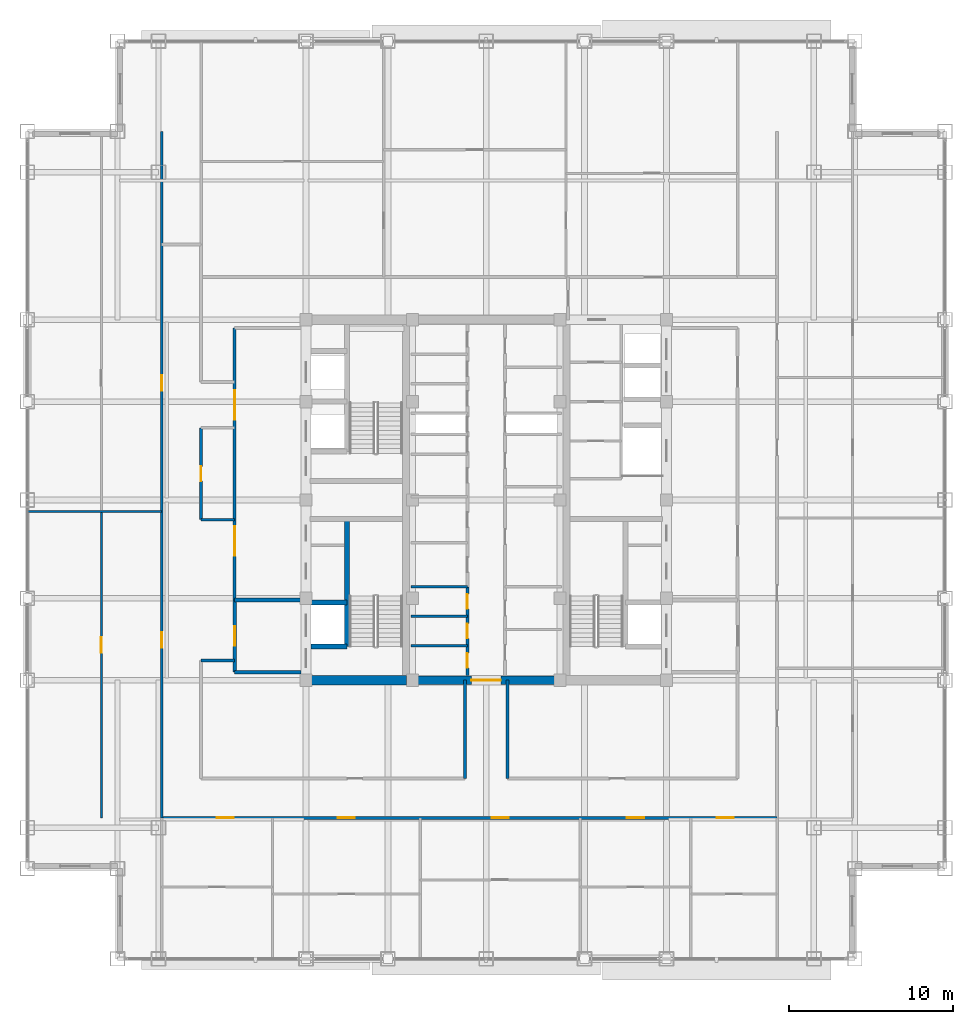
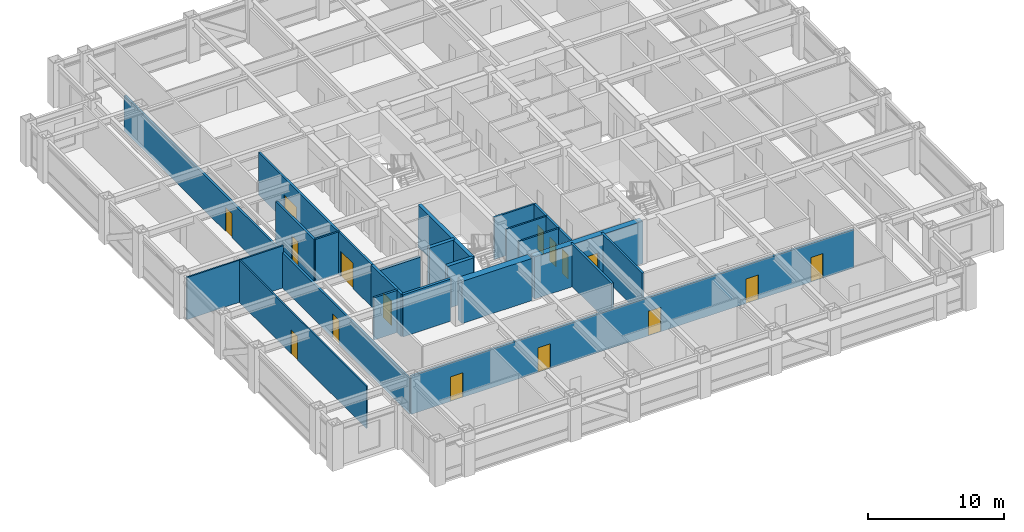
# One storey, part 20 of 29: 22 walls, 16 doors, 16 openings.
"""IFC4 building model written with IfcOpenShell, lengths in metres."""

from ifc_helpers import new_model, si_unit, direction, frame, frame_2d, origin, place, context, subcontext, project, spatial, rectangle, extrude, source, transform, mapped, material, layer, layer_set, type_object, element, fill, save


model = new_model("IFC4")

# Units and contexts
model_context = context("Model", 3, precision=1e-05, world=origin(), true_north=direction((0.0, 1.0)))
body_context = subcontext(model_context, "Body", "Model", "MODEL_VIEW")
ifc_project = project(units=[si_unit("LENGTHUNIT", "METRE"), si_unit("AREAUNIT", "SQUARE_METRE"), si_unit("VOLUMEUNIT", "CUBIC_METRE"), si_unit("PLANEANGLEUNIT", "RADIAN"), si_unit("MASSUNIT", "GRAM", prefix="KILO")], contexts=[model_context])

# Site, building, storey
site_placement = place(None, origin())
site = spatial("IfcSite", under=ifc_project, at=site_placement, CompositionType="ELEMENT")
building_placement = place(site_placement, origin())
building = spatial("IfcBuilding", under=site, at=building_placement, Name="Khorayat Bourse Tower", CompositionType="ELEMENT")
storey_placement = place(building_placement, frame((0.0, 0.0, 277.5)))
storey = spatial("IfcBuildingStorey", under=building, at=storey_placement, Name="L65", CompositionType="ELEMENT", Elevation=277.5)

# Wall
ifc_material_1 = material(Name="Concrete C60/75", Category="concrete")
ifc_layer_1 = layer(ifc_material_1, 0.60009765625)
ifc_layer_set_1 = layer_set([ifc_layer_1], Name="Concrete C60/75")
wall_type_1 = type_object("IfcWallType", Name="WAL-CORE-600", PredefinedType="SHEAR", material=ifc_layer_set_1)
shared_shape_1 = source(origin(), body_context, "Body", "SweptSolid", [
    extrude(rectangle(XDim=5.89990234375, YDim=0.60009765625, at=frame_2d((2.949951171875, 0.0))), origin(), (0.0, 0.0, 1.0), 3.780029296875),
])
wall_1_placement = place(storey_placement, frame((-10.75, -11.0, 0.0), z_axis=(0.0, 0.0, 1.0), x_axis=(1.0, 0.0, 0.0)))
element("IfcWall", 1, at=wall_1_placement, inside=storey, type_object=wall_type_1, Name="L65 Core Shear Wall PIER-WS", PredefinedType="SHEAR", context=body_context, shape_type="MappedRepresentation", body=[
    mapped(shared_shape_1, transform((0.0, 0.0, 0.0), scale=1.0)),
])

# Wall, opening, door
ifc_material_2 = material(Name="Concrete C52/65", Category="concrete")
ifc_layer_2 = layer(ifc_material_2, 0.5)
ifc_layer_set_2 = layer_set([ifc_layer_2], Name="Concrete C52/65")
wall_type_2 = type_object("IfcWallType", Name="WAL-CORE-500", PredefinedType="SHEAR", material=ifc_layer_set_2)
shared_shape_2 = source(origin(), body_context, "Body", "SweptSolid", [
    extrude(rectangle(XDim=9.2001953125, YDim=0.5, at=frame_2d((4.60009765625, 0.0))), origin(), (0.0, 0.0, 1.0), 3.780029296875),
])
wall_2_placement = place(storey_placement, frame((-4.60009765625, -11.0, 0.0), z_axis=(0.0, 0.0, 1.0), x_axis=(1.0, 0.0, 0.0)))
wall_2 = element("IfcWall", 2, at=wall_2_placement, inside=storey, type_object=wall_type_2, Name="L65 Core Shear Wall CORE-S", PredefinedType="SHEAR", context=body_context, shape_type="MappedRepresentation", body=[
    mapped(shared_shape_2, transform((0.0, 0.0, 0.0), scale=1.0)),
])
shared_shape_3 = source(origin(), body_context, "Body", "SweptSolid", [
    extrude(rectangle(XDim=1.800048828125, YDim=2.25, at=frame_2d((0.89990234375, 1.125))), frame((0.0, 0.260009765625, 0.0), z_axis=(0.0, -1.0, 0.0), x_axis=(1.0, 0.0, 0.0)), (0.0, 0.0, 1.0), 0.52001953125),
])
opening_1_placement = place(wall_2_placement, frame((3.699951171875, 0.0, 0.0)))
opening_1 = element("IfcOpeningElement", 3, at=opening_1_placement, cuts=wall_2, Name="Opening DI-03", PredefinedType="OPENING", context=body_context, shape_type="MappedRepresentation", body=[
    mapped(shared_shape_3, transform((0.0, 0.0, 0.0), scale=1.0)),
])
ifc_material_3 = material(Name="Fire-rated hardwood vision-panel double leaf", Category="wood")
door_type_1 = type_object("IfcDoorType", Name="DR-INT-CORR-1800", OperationType="NOTDEFINED", PredefinedType="DOOR", material=ifc_material_3)
shared_shape_4 = source(origin(), body_context, "Body", "SweptSolid", [
    extrude(rectangle(XDim=1.800048828125, YDim=2.25, at=frame_2d((0.89990234375, 1.125))), frame((0.0, 0.02490234375, 0.0), z_axis=(0.0, -1.0, 0.0), x_axis=(1.0, 0.0, 0.0)), (0.0, 0.0, 1.0), 0.050048828125),
])
door_1_placement = place(opening_1_placement, origin())
door_1 = element("IfcDoor", 4, at=door_1_placement, inside=storey, type_object=door_type_1, Name="L65 Central Core South Passage Door", OperationType="SINGLE_SWING_LEFT", OverallHeight=2.25, OverallWidth=1.800048828125, PredefinedType="DOOR", context=body_context, shape_type="MappedRepresentation", body=[
    mapped(shared_shape_4, transform((0.0, 0.0, 0.0), scale=1.0)),
])
fill(opening_1, door_1)

# Walls
ifc_material_4 = material(Name="Aerated concrete blockwork", Category="masonry")
ifc_layer_3 = layer(ifc_material_4, 0.219970703125)
ifc_layer_set_3 = layer_set([ifc_layer_3], Name="Aerated concrete blockwork")
wall_type_3 = type_object("IfcWallType", Name="WAL-PART-FF-220", PredefinedType="PARTITIONING", material=ifc_layer_set_3)
shared_shape_5 = source(origin(), body_context, "Body", "SweptSolid", [
    extrude(rectangle(XDim=4.050048828125, YDim=0.219970703125, at=frame_2d((2.02490234375, 0.0))), origin(), (0.0, 0.0, 1.0), 3.0849609375),
])
wall_3_placement = place(storey_placement, frame((-15.35009765625, -6.10009765625, 0.0), z_axis=(0.0, 0.0, 1.0), x_axis=(1.0, 0.0, 0.0)))
element("IfcWall", 5, at=wall_3_placement, inside=storey, type_object=wall_type_3, Name="L65 Partition WAL-L65-FFLW-N", PredefinedType="PARTITIONING", context=body_context, shape_type="MappedRepresentation", body=[
    mapped(shared_shape_5, transform((0.0, 0.0, 0.0), scale=1.0)),
])
ifc_material_5 = material(Name="Concrete C50/60", Category="concrete")
ifc_layer_4 = layer(ifc_material_5, 0.300048828125)
ifc_layer_set_4 = layer_set([ifc_layer_4], Name="Concrete C50/60")
wall_type_4 = type_object("IfcWallType", Name="WAL-SHAFT-300", PredefinedType="SHEAR", material=ifc_layer_set_4)
shared_shape_6 = source(origin(), body_context, "Body", "SweptSolid", [
    extrude(rectangle(XDim=7.800048828125, YDim=0.300048828125, at=frame_2d((3.89990234375, 0.0))), origin(), (0.0, 0.0, 1.0), 3.780029296875),
])
wall_4_placement = place(storey_placement, frame((-8.5, -8.949951171875, 0.0), z_axis=(0.0, 0.0, 1.0), x_axis=(0.0, 1.0, 0.0)))
element("IfcWall", 6, at=wall_4_placement, inside=storey, type_object=wall_type_4, Name="L65 Partition WAL-L65-WPIER-SP", PredefinedType="SHEAR", context=body_context, shape_type="MappedRepresentation", body=[
    mapped(shared_shape_6, transform((0.0, 0.0, 0.0), scale=1.0)),
])
shared_shape_7 = source(origin(), body_context, "Body", "SweptSolid", [
    extrude(rectangle(XDim=2.199951171875, YDim=0.300048828125, at=frame_2d((1.10009765625, 0.0))), origin(), (0.0, 0.0, 1.0), 3.780029296875),
])
for number, where, z_axis, x_axis, name in (
    (7, (-10.699951171875, -8.949951171875, 0.0), (0.0, 0.0, 1.0), (1.0, 0.0, 0.0), "L65 Partition WAL-L65-WPIER-FF1S"),
    (8, (-10.699951171875, -6.25, 0.0), (0.0, 0.0, 1.0), (1.0, 0.0, 0.0), "L65 Partition WAL-L65-WPIER-FF1N"),
):
    element("IfcWall", number, at=place(storey_placement, frame(where, z_axis=z_axis, x_axis=x_axis)), inside=storey, type_object=wall_type_4, Name=name, PredefinedType="SHEAR", context=body_context, shape_type="MappedRepresentation", body=[
        mapped(shared_shape_7, transform((0.0, 0.0, 0.0), scale=1.0)),
    ])
shared_shape_8 = source(origin(), body_context, "Body", "SweptSolid", [
    extrude(rectangle(XDim=4.050048828125, YDim=0.219970703125, at=frame_2d((2.02490234375, 0.0))), origin(), (0.0, 0.0, 1.0), 3.780029296875),
])
wall_5_placement = place(storey_placement, frame((-15.35009765625, -10.5, 0.0), z_axis=(0.0, 0.0, 1.0), x_axis=(1.0, 0.0, 0.0)))
element("IfcWall", 9, at=wall_5_placement, inside=storey, type_object=wall_type_3, Name="L65 Partition WAL-L65-FFLW-S", PredefinedType="PARTITIONING", context=body_context, shape_type="MappedRepresentation", body=[
    mapped(shared_shape_8, transform((0.0, 0.0, 0.0), scale=1.0)),
])

# Wall, opening, door
shared_shape_9 = source(origin(), body_context, "Body", "SweptSolid", [
    extrude(rectangle(XDim=4.39990234375, YDim=0.219970703125, at=frame_2d((2.199951171875, 0.0))), origin(), (0.0, 0.0, 1.0), 3.780029296875),
])
wall_6_placement = place(storey_placement, frame((-15.35009765625, -10.5, 0.0), z_axis=(0.0, 0.0, 1.0), x_axis=(0.0, 1.0, 0.0)))
wall_6 = element("IfcWall", 10, at=wall_6_placement, inside=storey, type_object=wall_type_3, Name="L65 Partition WAL-L65-FFLW-W", PredefinedType="PARTITIONING", context=body_context, shape_type="MappedRepresentation", body=[
    mapped(shared_shape_9, transform((0.0, 0.0, 0.0), scale=1.0)),
])
shared_shape_10 = source(origin(), body_context, "Body", "SweptSolid", [
    extrude(rectangle(XDim=1.199951171875, YDim=2.199951171875, at=frame_2d((0.60009765625, 1.10009765625))), frame((0.0, 0.119873046875, 0.0), z_axis=(0.0, -1.0, 0.0), x_axis=(1.0, 0.0, 0.0)), (0.0, 0.0, 1.0), 0.239990234375),
])
opening_2_placement = place(wall_6_placement, frame((1.60009765625, 0.0, 0.0)))
opening_2 = element("IfcOpeningElement", 11, at=opening_2_placement, cuts=wall_6, Name="Opening DI-02", PredefinedType="OPENING", context=body_context, shape_type="MappedRepresentation", body=[
    mapped(shared_shape_10, transform((0.0, 0.0, 0.0), scale=1.0)),
])
ifc_material_6 = material(Name="Fire-rated steel double-seal leaf", Category="steel")
door_type_2 = type_object("IfcDoorType", Name="DR-INT-FFLOBBY-1200", OperationType="NOTDEFINED", PredefinedType="DOOR", material=ifc_material_6)
shared_shape_11 = source(origin(), body_context, "Body", "SweptSolid", [
    extrude(rectangle(XDim=1.199951171875, YDim=2.199951171875, at=frame_2d((0.60009765625, 1.10009765625))), frame((0.0, 0.02490234375, 0.0), z_axis=(0.0, -1.0, 0.0), x_axis=(1.0, 0.0, 0.0)), (0.0, 0.0, 1.0), 0.050048828125),
])
door_2_placement = place(opening_2_placement, origin())
door_2 = element("IfcDoor", 12, at=door_2_placement, inside=storey, type_object=door_type_2, Name="L65 West Firefighting Lobby Door", OperationType="SINGLE_SWING_LEFT", OverallHeight=2.199951171875, OverallWidth=1.199951171875, PredefinedType="DOOR", context=body_context, shape_type="MappedRepresentation", body=[
    mapped(shared_shape_11, transform((0.0, 0.0, 0.0), scale=1.0)),
])
fill(opening_2, door_2)

# Wall, openings, doors
ifc_material_7 = material(Name="Gypsum plasterboard acoustic stud wall")
ifc_layer_5 = layer(ifc_material_7, 0.179931640625)
ifc_layer_set_5 = layer_set([ifc_layer_5], Name="Gypsum plasterboard acoustic stud wall")
wall_type_5 = type_object("IfcWallType", Name="WAL-PART-CORR-180", PredefinedType="PARTITIONING", material=ifc_layer_set_5)
shared_shape_12 = source(origin(), body_context, "Body", "SweptSolid", [
    extrude(rectangle(XDim=16.60009765625, YDim=0.179931640625, at=frame_2d((8.300048828125, 0.0))), origin(), (0.0, 0.0, 1.0), 3.780029296875),
])
wall_7_placement = place(storey_placement, frame((-15.35009765625, -6.10009765625, 0.0), z_axis=(0.0, 0.0, 1.0), x_axis=(0.0, 1.0, 0.0)))
wall_7 = element("IfcWall", 13, at=wall_7_placement, inside=storey, type_object=wall_type_5, Name="L65 Partition WAL-L65-WLOB-W", PredefinedType="PARTITIONING", context=body_context, shape_type="MappedRepresentation", body=[
    mapped(shared_shape_12, transform((0.0, 0.0, 0.0), scale=1.0)),
])
shared_shape_13 = source(origin(), body_context, "Body", "SweptSolid", [
    extrude(rectangle(XDim=1.800048828125, YDim=2.25, at=frame_2d((0.89990234375, 1.125))), frame((0.0, 0.099853515625, 0.0), z_axis=(0.0, -1.0, 0.0), x_axis=(1.0, 0.0, 0.0)), (0.0, 0.0, 1.0), 0.199951171875),
])
opening_3_placement = place(wall_7_placement, frame((2.699951171875, 0.0, 0.0)))
opening_3 = element("IfcOpeningElement", 14, at=opening_3_placement, cuts=wall_7, Name="Opening DI-03", PredefinedType="OPENING", context=body_context, shape_type="MappedRepresentation", body=[
    mapped(shared_shape_13, transform((0.0, 0.0, 0.0), scale=1.0)),
])
opening_4_placement = place(wall_7_placement, frame((11.0, 0.0, 0.0)))
opening_4 = element("IfcOpeningElement", 15, at=opening_4_placement, cuts=wall_7, Name="Opening DI-03", PredefinedType="OPENING", context=body_context, shape_type="MappedRepresentation", body=[
    mapped(shared_shape_13, transform((0.0, 0.0, 0.0), scale=1.0)),
])
door_3_placement = place(opening_3_placement, origin())
door_3 = element("IfcDoor", 16, at=door_3_placement, inside=storey, type_object=door_type_1, Name="L65 West Core Lobby South Door", OperationType="SINGLE_SWING_LEFT", OverallHeight=2.25, OverallWidth=1.800048828125, PredefinedType="DOOR", context=body_context, shape_type="MappedRepresentation", body=[
    mapped(shared_shape_4, transform((0.0, 0.0, 0.0), scale=1.0)),
])
fill(opening_3, door_3)
door_4_placement = place(opening_4_placement, origin())
door_4 = element("IfcDoor", 17, at=door_4_placement, inside=storey, type_object=door_type_1, Name="L65 West Core Lobby North Door", OperationType="SINGLE_SWING_RIGHT", OverallHeight=2.25, OverallWidth=1.800048828125, PredefinedType="DOOR", context=body_context, shape_type="MappedRepresentation", body=[
    mapped(shared_shape_4, transform((0.0, 0.0, 0.0), scale=1.0)),
])
fill(opening_4, door_4)

# Wall
ifc_material_8 = material(Name="Gypsum plasterboard twin-frame partition")
ifc_layer_6 = layer(ifc_material_8, 0.14990234375)
ifc_layer_set_6 = layer_set([ifc_layer_6], Name="Gypsum plasterboard twin-frame partition")
wall_type_6 = type_object("IfcWallType", Name="WAL-PART-SUITE-150", PredefinedType="PARTITIONING", material=ifc_layer_set_6)
shared_shape_14 = source(origin(), body_context, "Body", "SweptSolid", [
    extrude(rectangle(XDim=3.4501953125, YDim=0.14990234375, at=frame_2d((1.72509765625, 0.0))), origin(), (0.0, 0.0, 1.0), 3.780029296875),
])
wall_8_placement = place(storey_placement, frame((-4.60009765625, -5.300048828125, 0.0), z_axis=(0.0, 0.0, 1.0), x_axis=(1.0, 0.0, 0.0)))
element("IfcWall", 18, at=wall_8_placement, inside=storey, type_object=wall_type_6, Name="L65 Partition WAL-L65-FB1-NW", PredefinedType="PARTITIONING", context=body_context, shape_type="MappedRepresentation", body=[
    mapped(shared_shape_14, transform((0.0, 0.0, 0.0), scale=1.0)),
])

# Wall, openings, doors
shared_shape_15 = source(origin(), body_context, "Body", "SweptSolid", [
    extrude(rectangle(XDim=5.39990234375, YDim=0.179931640625, at=frame_2d((2.699951171875, 0.0))), origin(), (0.0, 0.0, 1.0), 3.780029296875),
])
wall_9_placement = place(storey_placement, frame((-1.14990234375, -10.699951171875, 0.0), z_axis=(0.0, 0.0, 1.0), x_axis=(0.0, 1.0, 0.0)))
wall_9 = element("IfcWall", 19, at=wall_9_placement, inside=storey, type_object=wall_type_5, Name="L65 Partition WAL-L65-FB1W-L", PredefinedType="PARTITIONING", context=body_context, shape_type="MappedRepresentation", body=[
    mapped(shared_shape_15, transform((0.0, 0.0, 0.0), scale=1.0)),
])
shared_shape_16 = source(origin(), body_context, "Body", "SweptSolid", [
    extrude(rectangle(XDim=0.89990234375, YDim=2.14990234375, at=frame_2d((0.449951171875, 1.074951171875))), frame((0.0, 0.099853515625, 0.0), z_axis=(0.0, -1.0, 0.0), x_axis=(1.0, 0.0, 0.0)), (0.0, 0.0, 1.0), 0.199951171875),
])
opening_5_placement = place(wall_9_placement, frame((0.449951171875, 0.0, 0.0)))
opening_5 = element("IfcOpeningElement", 20, at=opening_5_placement, cuts=wall_9, Name="Opening DI-06", PredefinedType="OPENING", context=body_context, shape_type="MappedRepresentation", body=[
    mapped(shared_shape_16, transform((0.0, 0.0, 0.0), scale=1.0)),
])
opening_6_placement = place(wall_9_placement, frame((2.25, 0.0, 0.0)))
opening_6 = element("IfcOpeningElement", 21, at=opening_6_placement, cuts=wall_9, Name="Opening DI-06", PredefinedType="OPENING", context=body_context, shape_type="MappedRepresentation", body=[
    mapped(shared_shape_16, transform((0.0, 0.0, 0.0), scale=1.0)),
])
opening_7_placement = place(wall_9_placement, frame((4.050048828125, 0.0, 0.0)))
opening_7 = element("IfcOpeningElement", 22, at=opening_7_placement, cuts=wall_9, Name="Opening DI-06", PredefinedType="OPENING", context=body_context, shape_type="MappedRepresentation", body=[
    mapped(shared_shape_16, transform((0.0, 0.0, 0.0), scale=1.0)),
])
ifc_material_9 = material(Name="Moisture-resistant laminate washroom door")
door_type_3 = type_object("IfcDoorType", Name="DR-INT-WC-900", OperationType="NOTDEFINED", PredefinedType="DOOR", material=ifc_material_9)
shared_shape_17 = source(origin(), body_context, "Body", "SweptSolid", [
    extrude(rectangle(XDim=0.89990234375, YDim=2.14990234375, at=frame_2d((0.449951171875, 1.074951171875))), frame((0.0, 0.02490234375, 0.0), z_axis=(0.0, -1.0, 0.0), x_axis=(1.0, 0.0, 0.0)), (0.0, 0.0, 1.0), 0.050048828125),
])
door_5_placement = place(opening_5_placement, origin())
door_5 = element("IfcDoor", 23, at=door_5_placement, inside=storey, type_object=door_type_3, Name="L65 Archive Store A Door", OperationType="SINGLE_SWING_RIGHT", OverallHeight=2.14990234375, OverallWidth=0.89990234375, PredefinedType="DOOR", context=body_context, shape_type="MappedRepresentation", body=[
    mapped(shared_shape_17, transform((0.0, 0.0, 0.0), scale=1.0)),
])
fill(opening_5, door_5)
door_6_placement = place(opening_6_placement, origin())
door_6 = element("IfcDoor", 24, at=door_6_placement, inside=storey, type_object=door_type_3, Name="L65 Patch Comms Room Door", OperationType="SINGLE_SWING_LEFT", OverallHeight=2.14990234375, OverallWidth=0.89990234375, PredefinedType="DOOR", context=body_context, shape_type="MappedRepresentation", body=[
    mapped(shared_shape_17, transform((0.0, 0.0, 0.0), scale=1.0)),
])
fill(opening_6, door_6)
door_7_placement = place(opening_7_placement, origin())
door_7 = element("IfcDoor", 25, at=door_7_placement, inside=storey, type_object=door_type_3, Name="L65 Archive Store B Door", OperationType="SINGLE_SWING_RIGHT", OverallHeight=2.14990234375, OverallWidth=0.89990234375, PredefinedType="DOOR", context=body_context, shape_type="MappedRepresentation", body=[
    mapped(shared_shape_17, transform((0.0, 0.0, 0.0), scale=1.0)),
])
fill(opening_7, door_7)

# Walls
ifc_material_10 = material(Name="Moisture-resistant masonry partition", Category="masonry")
ifc_layer_7 = layer(ifc_material_10, 0.139892578125)
ifc_layer_set_7 = layer_set([ifc_layer_7], Name="Moisture-resistant masonry partition")
wall_type_7 = type_object("IfcWallType", Name="WAL-PART-WET-140", PredefinedType="PARTITIONING", material=ifc_layer_set_7)
shared_shape_18 = source(origin(), body_context, "Body", "SweptSolid", [
    extrude(rectangle(XDim=3.4501953125, YDim=0.139892578125, at=frame_2d((1.72509765625, 0.0))), origin(), (0.0, 0.0, 1.0), 3.780029296875),
])
for number, where, z_axis, x_axis, name in (
    (26, (-4.60009765625, -8.89990234375, 0.0), (0.0, 0.0, 1.0), (1.0, 0.0, 0.0), "L65 Partition WAL-L65-FB1W-D1"),
    (27, (-4.60009765625, -7.10009765625, 0.0), (0.0, 0.0, 1.0), (1.0, 0.0, 0.0), "L65 Partition WAL-L65-FB1W-D2"),
):
    element("IfcWall", number, at=place(storey_placement, frame(where, z_axis=z_axis, x_axis=x_axis)), inside=storey, type_object=wall_type_7, Name=name, PredefinedType="PARTITIONING", context=body_context, shape_type="MappedRepresentation", body=[
        mapped(shared_shape_18, transform((0.0, 0.0, 0.0), scale=1.0)),
    ])

# Wall, opening, door
shared_shape_19 = source(origin(), body_context, "Body", "SweptSolid", [
    extrude(rectangle(XDim=5.599853515625, YDim=0.179931640625, at=frame_2d((2.7998046875, 0.0))), origin(), (0.0, 0.0, 1.0), 3.780029296875),
])
wall_10_placement = place(storey_placement, frame((-17.39990234375, -1.199951171875, 0.0), z_axis=(0.0, 0.0, 1.0), x_axis=(0.0, 1.0, 0.0)))
wall_10 = element("IfcWall", 28, at=wall_10_placement, inside=storey, type_object=wall_type_5, Name="L65 Partition WAL-L65-PKWM-W", PredefinedType="PARTITIONING", context=body_context, shape_type="MappedRepresentation", body=[
    mapped(shared_shape_19, transform((0.0, 0.0, 0.0), scale=1.0)),
])
opening_8_placement = place(wall_10_placement, frame((2.35009765625, 0.0, 0.0)))
opening_8 = element("IfcOpeningElement", 29, at=opening_8_placement, cuts=wall_10, Name="Opening DI-06", PredefinedType="OPENING", context=body_context, shape_type="MappedRepresentation", body=[
    mapped(shared_shape_16, transform((0.0, 0.0, 0.0), scale=1.0)),
])
door_8_placement = place(opening_8_placement, origin())
door_8 = element("IfcDoor", 30, at=door_8_placement, inside=storey, type_object=door_type_3, Name="L65 West Inboard Focus Door", OperationType="SINGLE_SWING_LEFT", OverallHeight=2.14990234375, OverallWidth=0.89990234375, PredefinedType="DOOR", context=body_context, shape_type="MappedRepresentation", body=[
    mapped(shared_shape_17, transform((0.0, 0.0, 0.0), scale=1.0)),
])
fill(opening_8, door_8)

# Walls
shared_shape_20 = source(origin(), body_context, "Body", "SweptSolid", [
    extrude(rectangle(XDim=2.0498046875, YDim=0.14990234375, at=frame_2d((1.02490234375, 0.0))), origin(), (0.0, 0.0, 1.0), 3.780029296875),
])
wall_11_placement = place(storey_placement, frame((-17.39990234375, -1.199951171875, 0.0), z_axis=(0.0, 0.0, 1.0), x_axis=(1.0, 0.0, 0.0)))
element("IfcWall", 31, at=wall_11_placement, inside=storey, type_object=wall_type_6, Name="L65 Partition WAL-L65-PKWM-S", PredefinedType="PARTITIONING", context=body_context, shape_type="MappedRepresentation", body=[
    mapped(shared_shape_20, transform((0.0, 0.0, 0.0), scale=1.0)),
])
shared_shape_21 = source(origin(), body_context, "Body", "SweptSolid", [
    extrude(rectangle(XDim=2.0498046875, YDim=0.179931640625, at=frame_2d((1.02490234375, 0.0))), origin(), (0.0, 0.0, 1.0), 3.780029296875),
])
wall_12_placement = place(storey_placement, frame((-17.39990234375, -9.800048828125, 0.0), z_axis=(0.0, 0.0, 1.0), x_axis=(1.0, 0.0, 0.0)))
element("IfcWall", 32, at=wall_12_placement, inside=storey, type_object=wall_type_5, Name="L65 Partition WAL-L65-THRW-S", PredefinedType="PARTITIONING", context=body_context, shape_type="MappedRepresentation", body=[
    mapped(shared_shape_21, transform((0.0, 0.0, 0.0), scale=1.0)),
])
ifc_material_11 = material(Name="Gypsum plasterboard partition")
ifc_layer_8 = layer(ifc_material_11, 0.125)
ifc_layer_set_8 = layer_set([ifc_layer_8], Name="Gypsum plasterboard partition")
wall_type_8 = type_object("IfcWallType", Name="WAL-PART-ROOM-125", PredefinedType="PARTITIONING", material=ifc_layer_set_8)
shared_shape_22 = source(origin(), body_context, "Body", "SweptSolid", [
    extrude(rectangle(XDim=8.199951171875, YDim=0.125, at=frame_2d((4.10009765625, 0.0))), origin(), (0.0, 0.0, 1.0), 3.780029296875),
])
wall_13_placement = place(storey_placement, frame((-28.0, -0.699951171875, 0.0), z_axis=(0.0, 0.0, 1.0), x_axis=(1.0, 0.0, 0.0)))
element("IfcWall", 33, at=wall_13_placement, inside=storey, type_object=wall_type_8, Name="L65 Partition WAL-L65-WDV-1", PredefinedType="PARTITIONING", context=body_context, shape_type="MappedRepresentation", body=[
    mapped(shared_shape_22, transform((0.0, 0.0, 0.0), scale=1.0)),
])
shared_shape_23 = source(origin(), body_context, "Body", "SweptSolid", [
    extrude(rectangle(XDim=6.0, YDim=0.179931640625, at=frame_2d((3.0, 0.0))), origin(), (0.0, 0.0, 1.0), 3.780029296875),
])
for number, where, z_axis, x_axis, name in (
    (34, (-1.300048828125, -17.0, 0.0), (0.0, 0.0, 1.0), (0.0, 1.0, 0.0), "L65 Partition WAL-L65-PKSW-E"),
    (35, (1.300048828125, -17.0, 0.0), (0.0, 0.0, 1.0), (0.0, 1.0, 0.0), "L65 Partition WAL-L65-PKSE-W"),
):
    element("IfcWall", number, at=place(storey_placement, frame(where, z_axis=z_axis, x_axis=x_axis)), inside=storey, type_object=wall_type_5, Name=name, PredefinedType="PARTITIONING", context=body_context, shape_type="MappedRepresentation", body=[
        mapped(shared_shape_23, transform((0.0, 0.0, 0.0), scale=1.0)),
    ])

# Wall, openings, doors
shared_shape_24 = source(origin(), body_context, "Body", "SweptSolid", [
    extrude(rectangle(XDim=37.550048828125, YDim=0.179931640625, at=frame_2d((18.77490234375, 0.0))), origin(), (0.0, 0.0, 1.0), 3.43310546875),
])
wall_14_placement = place(storey_placement, frame((-19.800048828125, -19.39990234375, 0.0), z_axis=(0.0, 0.0, 1.0), x_axis=(1.0, 0.0, 0.0)))
wall_14 = element("IfcWall", 36, at=wall_14_placement, inside=storey, type_object=wall_type_5, Name="L65 Partition WAL-L65-SCORR", PredefinedType="PARTITIONING", context=body_context, shape_type="MappedRepresentation", body=[
    mapped(shared_shape_24, transform((0.0, 0.0, 0.0), scale=1.0)),
])
shared_shape_25 = source(origin(), body_context, "Body", "SweptSolid", [
    extrude(rectangle(XDim=1.050048828125, YDim=2.199951171875, at=frame_2d((0.52490234375, 1.10009765625))), frame((0.0, 0.099853515625, 0.0), z_axis=(0.0, -1.0, 0.0), x_axis=(1.0, 0.0, 0.0)), (0.0, 0.0, 1.0), 0.199951171875),
])
opening_9_placement = place(wall_14_placement, frame((3.3544921875, 0.0, 0.0)))
opening_9 = element("IfcOpeningElement", 37, at=opening_9_placement, cuts=wall_14, Name="Opening DI-04", PredefinedType="OPENING", context=body_context, shape_type="MappedRepresentation", body=[
    mapped(shared_shape_25, transform((0.0, 0.0, 0.0), scale=1.0)),
])
opening_10_placement = place(wall_14_placement, frame((10.739990234375, 0.0, 0.0)))
opening_10 = element("IfcOpeningElement", 38, at=opening_10_placement, cuts=wall_14, Name="Opening DI-04", PredefinedType="OPENING", context=body_context, shape_type="MappedRepresentation", body=[
    mapped(shared_shape_25, transform((0.0, 0.0, 0.0), scale=1.0)),
])
opening_11_placement = place(wall_14_placement, frame((20.12744140625, 0.0, 0.0)))
opening_11 = element("IfcOpeningElement", 39, at=opening_11_placement, cuts=wall_14, Name="Opening DI-04", PredefinedType="OPENING", context=body_context, shape_type="MappedRepresentation", body=[
    mapped(shared_shape_25, transform((0.0, 0.0, 0.0), scale=1.0)),
])
opening_12_placement = place(wall_14_placement, frame((28.388427734375, 0.0, 0.0)))
opening_12 = element("IfcOpeningElement", 40, at=opening_12_placement, cuts=wall_14, Name="Opening DI-04", PredefinedType="OPENING", context=body_context, shape_type="MappedRepresentation", body=[
    mapped(shared_shape_25, transform((0.0, 0.0, 0.0), scale=1.0)),
])
opening_13_placement = place(wall_14_placement, frame((33.87158203125, 0.0, 0.0)))
opening_13 = element("IfcOpeningElement", 41, at=opening_13_placement, cuts=wall_14, Name="Opening DI-04", PredefinedType="OPENING", context=body_context, shape_type="MappedRepresentation", body=[
    mapped(shared_shape_25, transform((0.0, 0.0, 0.0), scale=1.0)),
])
ifc_material_12 = material(Name="Fire-rated oak veneer suite entrance door")
door_type_4 = type_object("IfcDoorType", Name="DR-INT-SUITE-1050", OperationType="NOTDEFINED", PredefinedType="DOOR", material=ifc_material_12)
shared_shape_26 = source(origin(), body_context, "Body", "SweptSolid", [
    extrude(rectangle(XDim=1.050048828125, YDim=2.199951171875, at=frame_2d((0.52490234375, 1.10009765625))), frame((0.0, 0.02490234375, 0.0), z_axis=(0.0, -1.0, 0.0), x_axis=(1.0, 0.0, 0.0)), (0.0, 0.0, 1.0), 0.050048828125),
])
door_9_placement = place(opening_9_placement, origin())
door_9 = element("IfcDoor", 42, at=door_9_placement, inside=storey, type_object=door_type_4, Name="L65 Equities Trading Desk S1 Door", OperationType="SINGLE_SWING_RIGHT", OverallHeight=2.199951171875, OverallWidth=1.050048828125, PredefinedType="DOOR", context=body_context, shape_type="MappedRepresentation", body=[
    mapped(shared_shape_26, transform((0.0, 0.0, 0.0), scale=1.0)),
])
fill(opening_9, door_9)
door_10_placement = place(opening_10_placement, origin())
door_10 = element("IfcDoor", 43, at=door_10_placement, inside=storey, type_object=door_type_4, Name="L65 Market Risk Analytics Workspace S2 Door", OperationType="SINGLE_SWING_LEFT", OverallHeight=2.199951171875, OverallWidth=1.050048828125, PredefinedType="DOOR", context=body_context, shape_type="MappedRepresentation", body=[
    mapped(shared_shape_26, transform((0.0, 0.0, 0.0), scale=1.0)),
])
fill(opening_10, door_10)
door_11_placement = place(opening_11_placement, origin())
door_11 = element("IfcDoor", 44, at=door_11_placement, inside=storey, type_object=door_type_4, Name="L65 Issuer Listing Showroom S3 Door", OperationType="SINGLE_SWING_RIGHT", OverallHeight=2.199951171875, OverallWidth=1.050048828125, PredefinedType="DOOR", context=body_context, shape_type="MappedRepresentation", body=[
    mapped(shared_shape_26, transform((0.0, 0.0, 0.0), scale=1.0)),
])
fill(opening_11, door_11)
door_12_placement = place(opening_12_placement, origin())
door_12 = element("IfcDoor", 45, at=door_12_placement, inside=storey, type_object=door_type_4, Name="L65 Market Reference Library S4 Door", OperationType="SINGLE_SWING_LEFT", OverallHeight=2.199951171875, OverallWidth=1.050048828125, PredefinedType="DOOR", context=body_context, shape_type="MappedRepresentation", body=[
    mapped(shared_shape_26, transform((0.0, 0.0, 0.0), scale=1.0)),
])
fill(opening_12, door_12)
door_13_placement = place(opening_13_placement, origin())
door_13 = element("IfcDoor", 46, at=door_13_placement, inside=storey, type_object=door_type_4, Name="L65 Clearing Operations Office S5 Door", OperationType="SINGLE_SWING_RIGHT", OverallHeight=2.199951171875, OverallWidth=1.050048828125, PredefinedType="DOOR", context=body_context, shape_type="MappedRepresentation", body=[
    mapped(shared_shape_26, transform((0.0, 0.0, 0.0), scale=1.0)),
])
fill(opening_13, door_13)

# Wall, opening, door
shared_shape_27 = source(origin(), body_context, "Body", "SweptSolid", [
    extrude(rectangle(XDim=18.699951171875, YDim=0.125, at=frame_2d((9.35009765625, 0.0))), origin(), (0.0, 0.0, 1.0), 3.780029296875),
])
wall_15_placement = place(storey_placement, frame((-23.489990234375, -19.39990234375, 0.0), z_axis=(0.0, 0.0, 1.0), x_axis=(0.0, 1.0, 0.0)))
wall_15 = element("IfcWall", 47, at=wall_15_placement, inside=storey, type_object=wall_type_8, Name="L65 Partition WAL-L65-WDP-1", PredefinedType="PARTITIONING", context=body_context, shape_type="MappedRepresentation", body=[
    mapped(shared_shape_27, transform((0.0, 0.0, 0.0), scale=1.0)),
])
shared_shape_28 = source(origin(), body_context, "Body", "SweptSolid", [
    extrude(rectangle(XDim=0.949951171875, YDim=2.14990234375, at=frame_2d((0.47509765625, 1.074951171875))), frame((0.0, 0.072509765625, 0.0), z_axis=(0.0, -1.0, 0.0), x_axis=(1.0, 0.0, 0.0)), (0.0, 0.0, 1.0), 0.14501953125),
])
opening_14_placement = place(wall_15_placement, frame((10.074951171875, 0.0, 0.0)))
opening_14 = element("IfcOpeningElement", 48, at=opening_14_placement, cuts=wall_15, Name="Opening DI-05", PredefinedType="OPENING", context=body_context, shape_type="MappedRepresentation", body=[
    mapped(shared_shape_28, transform((0.0, 0.0, 0.0), scale=1.0)),
])
ifc_material_13 = material(Name="Acoustic oak veneer office door")
door_type_5 = type_object("IfcDoorType", Name="DR-INT-OFFICE-950", OperationType="NOTDEFINED", PredefinedType="DOOR", material=ifc_material_13)
shared_shape_29 = source(origin(), body_context, "Body", "SweptSolid", [
    extrude(rectangle(XDim=0.949951171875, YDim=2.14990234375, at=frame_2d((0.47509765625, 1.074951171875))), frame((0.0, 0.02490234375, 0.0), z_axis=(0.0, -1.0, 0.0), x_axis=(1.0, 0.0, 0.0)), (0.0, 0.0, 1.0), 0.050048828125),
])
door_14_placement = place(opening_14_placement, origin())
door_14 = element("IfcDoor", 49, at=door_14_placement, inside=storey, type_object=door_type_5, Name="L65 Issuer Listing Showroom W1B Door", OperationType="SINGLE_SWING_RIGHT", OverallHeight=2.14990234375, OverallWidth=0.949951171875, PredefinedType="DOOR", context=body_context, shape_type="MappedRepresentation", body=[
    mapped(shared_shape_29, transform((0.0, 0.0, 0.0), scale=1.0)),
])
fill(opening_14, door_14)

# Wall, openings, doors
shared_shape_30 = source(origin(), body_context, "Body", "SweptSolid", [
    extrude(rectangle(XDim=41.89990234375, YDim=0.179931640625, at=frame_2d((20.949951171875, 0.0))), origin(), (0.0, 0.0, 1.0), 3.1640625),
])
wall_16_placement = place(storey_placement, frame((-19.800048828125, -19.39990234375, 0.0), z_axis=(0.0, 0.0, 1.0), x_axis=(0.0, 1.0, 0.0)))
wall_16 = element("IfcWall", 50, at=wall_16_placement, inside=storey, type_object=wall_type_5, Name="L65 Partition WAL-L65-WCORR", PredefinedType="PARTITIONING", context=body_context, shape_type="MappedRepresentation", body=[
    mapped(shared_shape_30, transform((0.0, 0.0, 0.0), scale=1.0)),
])
shared_shape_31 = source(origin(), body_context, "Body", "SweptSolid", [
    extrude(rectangle(XDim=0.949951171875, YDim=2.14990234375, at=frame_2d((0.47509765625, 1.074951171875))), frame((0.0, 0.099853515625, 0.0), z_axis=(0.0, -1.0, 0.0), x_axis=(1.0, 0.0, 0.0)), (0.0, 0.0, 1.0), 0.199951171875),
])
opening_15_placement = place(wall_16_placement, frame((10.375, 0.0, 0.0)))
opening_15 = element("IfcOpeningElement", 51, at=opening_15_placement, cuts=wall_16, Name="Opening DI-05", PredefinedType="OPENING", context=body_context, shape_type="MappedRepresentation", body=[
    mapped(shared_shape_31, transform((0.0, 0.0, 0.0), scale=1.0)),
])
opening_16_placement = place(wall_16_placement, frame((26.074951171875, 0.0, 0.0)))
opening_16 = element("IfcOpeningElement", 52, at=opening_16_placement, cuts=wall_16, Name="Opening DI-05", PredefinedType="OPENING", context=body_context, shape_type="MappedRepresentation", body=[
    mapped(shared_shape_31, transform((0.0, 0.0, 0.0), scale=1.0)),
])
door_15_placement = place(opening_15_placement, origin())
door_15 = element("IfcDoor", 53, at=door_15_placement, inside=storey, type_object=door_type_5, Name="L65 Equities Trading Desk W1 Door", OperationType="SINGLE_SWING_RIGHT", OverallHeight=2.14990234375, OverallWidth=0.949951171875, PredefinedType="DOOR", context=body_context, shape_type="MappedRepresentation", body=[
    mapped(shared_shape_29, transform((0.0, 0.0, 0.0), scale=1.0)),
])
fill(opening_15, door_15)
door_16_placement = place(opening_16_placement, origin())
door_16 = element("IfcDoor", 54, at=door_16_placement, inside=storey, type_object=door_type_5, Name="L65 Brokerage Member Kiosk W2 Door", OperationType="SINGLE_SWING_LEFT", OverallHeight=2.14990234375, OverallWidth=0.949951171875, PredefinedType="DOOR", context=body_context, shape_type="MappedRepresentation", body=[
    mapped(shared_shape_29, transform((0.0, 0.0, 0.0), scale=1.0)),
])
fill(opening_16, door_16)

save(model, "model.ifc")
